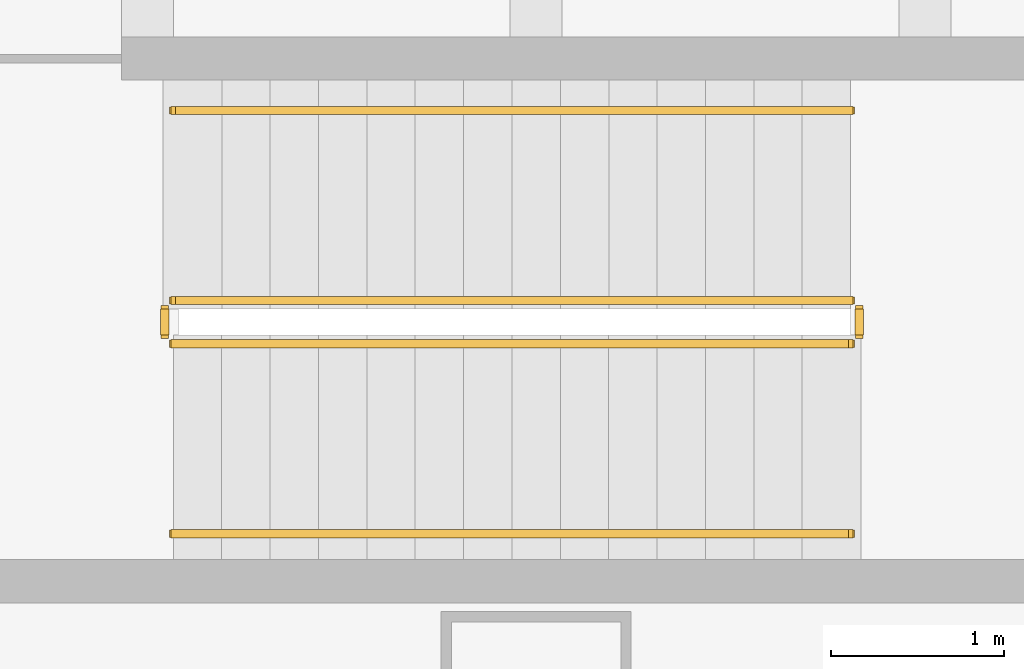
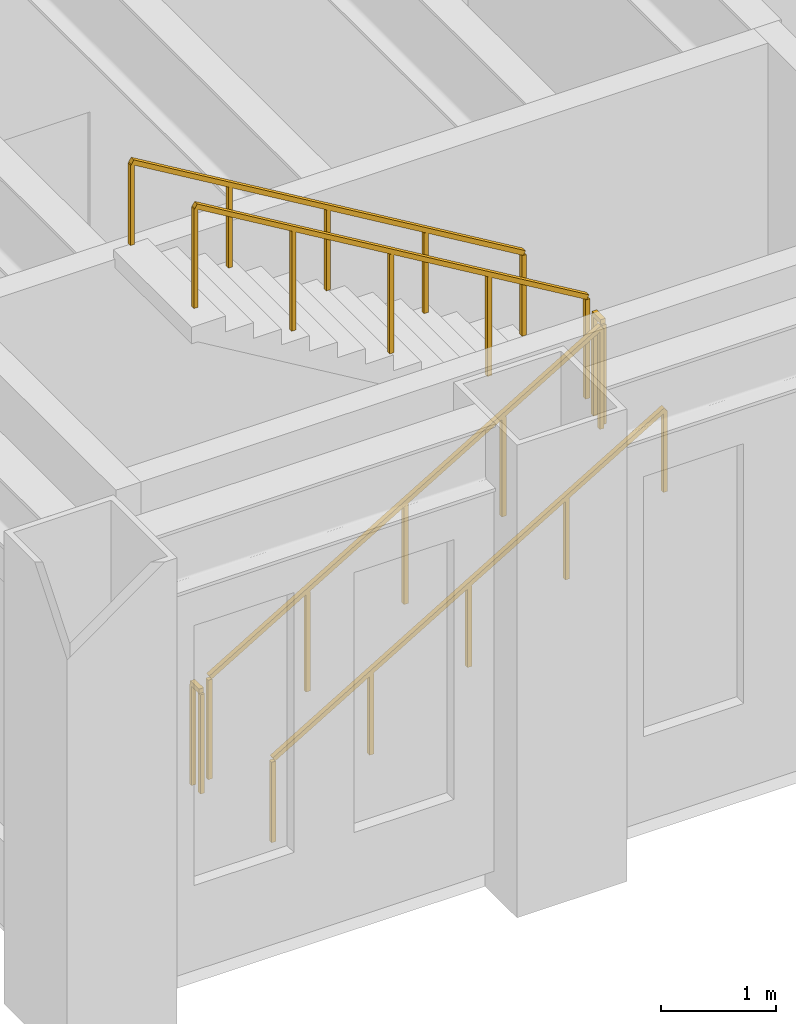
# One storey, part 16 of 19: 6 railings.
"""IFC4 building model written with IfcOpenShell, lengths in metres."""

import ifcopenshell
import ifcopenshell.guid

model = None  # the IFC model being written
_history = None  # IfcOwnerHistory: only IFC2X3 demands one
_inside = {}  # id of a spatial element -> (the spatial element, [elements in it])
_under = {}  # id of a project, library or spatial element -> (it, [spatial elements below it])
_declared = {}  # id of a project -> (the project, [libraries it declares])
_typed = {}  # id of a type object -> (the type object, [elements of that type])
_made_of = {}  # id of a material, layer set ... -> (it, [elements and type objects made of it])


def new_model(schema):
    """Start an empty IFC model of exactly this schema.

    Asked for "IFC4X3", IfcOpenShell would pick the latest addendum, in which some entities
    have other attributes; the version numbers below select the first issue.
    IFC2X3 requires an IfcOwnerHistory on every rooted entity: one is made here for all.
    """
    global model, _history
    if schema == "IFC4X3":
        model = ifcopenshell.file(schema_version=(4, 3, 0, 0))
    else:
        model = ifcopenshell.file(schema=schema)
    _inside.clear()
    _under.clear()
    _declared.clear()
    _typed.clear()
    _made_of.clear()
    _history = None
    if model.schema == "IFC2X3":
        org = make("IfcOrganization", Name="unknown")
        user = make(
            "IfcPersonAndOrganization",
            ThePerson=make("IfcPerson", FamilyName="unknown"),
            TheOrganization=org,
        )
        app = make(
            "IfcApplication",
            ApplicationDeveloper=org,
            Version="unknown",
            ApplicationFullName="unknown",
            ApplicationIdentifier="unknown",
        )
        _history = make(
            "IfcOwnerHistory",
            OwningUser=user,
            OwningApplication=app,
            ChangeAction="ADDED",
            CreationDate=0,
        )
    return model


def make(cls, **values):
    """One entity of the class cls with the attributes given. An attribute that is None is left unset."""
    return model.create_entity(
        cls, **{name: value for name, value in values.items() if value is not None}
    )


def rooted(cls, **values):
    """An entity with a GlobalId (a new one), such as an element, a storey or a relation."""
    return make(cls, GlobalId=ifcopenshell.guid.new(), OwnerHistory=_history, **values)


def si_unit(unit_type, name, prefix=None):
    """IfcSIUnit, for example si_unit("LENGTHUNIT", "METRE", prefix="MILLI")."""
    return make("IfcSIUnit", UnitType=unit_type, Prefix=prefix, Name=name)


def assignment(units):
    """IfcUnitAssignment: the units of a project."""
    return None if units is None else make("IfcUnitAssignment", Units=units)


def point(xyz):
    """IfcCartesianPoint."""
    return None if xyz is None else make("IfcCartesianPoint", Coordinates=xyz)


def direction(xyz):
    """IfcDirection."""
    return None if xyz is None else make("IfcDirection", DirectionRatios=xyz)


def frame(location, z_axis=None, x_axis=None):
    """IfcAxis2Placement3D, a coordinate frame: its origin and axes. An axis left out is left unset."""
    return make(
        "IfcAxis2Placement3D",
        Location=point(location),
        Axis=direction(z_axis),
        RefDirection=direction(x_axis),
    )


def frame_2d(location, x_axis=None):
    """IfcAxis2Placement2D, a coordinate frame in the plane: its origin and x axis."""
    return make(
        "IfcAxis2Placement2D", Location=point(location), RefDirection=direction(x_axis)
    )


def origin():
    """The frame at (0, 0, 0) with its axes left unset."""
    return frame((0.0, 0.0, 0.0))


def origin_2d():
    """The frame at (0, 0) in the plane with its x axis left unset."""
    return frame_2d((0.0, 0.0))


def place(relative_to, where):
    """IfcLocalPlacement: puts the frame where relative to a parent placement (None: the world)."""
    return make(
        "IfcLocalPlacement", PlacementRelTo=relative_to, RelativePlacement=where
    )


def context(
    kind, dimensions, precision=None, world=None, true_north=None, identifier=None
):
    """IfcGeometricRepresentationContext, for example the 3D "Model" context."""
    return make(
        "IfcGeometricRepresentationContext",
        ContextIdentifier=identifier,
        ContextType=kind,
        CoordinateSpaceDimension=dimensions,
        Precision=precision,
        WorldCoordinateSystem=world,
        TrueNorth=true_north,
    )


def subcontext(parent, identifier, kind, view, scale=None):
    """IfcGeometricRepresentationSubContext, for example "Body" below "Model"."""
    return make(
        "IfcGeometricRepresentationSubContext",
        ContextIdentifier=identifier,
        ContextType=kind,
        ParentContext=parent,
        TargetScale=scale,
        TargetView=view,
    )


def project(units=None, contexts=None):
    """IfcProject with its units and contexts."""
    return rooted(
        "IfcProject",
        Name="project",
        RepresentationContexts=contexts,
        UnitsInContext=assignment(units),
    )


def spatial(cls, under=None, at=None, **own):
    """A site, building, storey or space (cls), placed at a placement, below another one or the project."""
    s = rooted(cls, ObjectPlacement=at, **own)
    if under is not None:
        _under.setdefault(under.id(), (under, []))[1].append(s)
    return s


def profile(cls, at=None, kind="AREA", **sizes):
    """A parametric profile (cls). Its sizes go by their IFC names, for example OverallWidth=200.0."""
    return make(cls, ProfileType=kind, Position=at, **sizes)


def rectangle(**sizes):
    """IfcRectangleProfileDef."""
    return profile("IfcRectangleProfileDef", **sizes)


def extrude(swept, where, along, depth):
    """IfcExtrudedAreaSolid: the profile swept, set in the frame where, extruded along a direction by depth."""
    return make(
        "IfcExtrudedAreaSolid",
        SweptArea=swept,
        Position=where,
        ExtrudedDirection=direction(along),
        Depth=depth,
    )


def shape(context_of_items, identifier, shape_type, items):
    """IfcShapeRepresentation: the items that make up one representation, for example the "Body"."""
    return make(
        "IfcShapeRepresentation",
        ContextOfItems=context_of_items,
        RepresentationIdentifier=identifier,
        RepresentationType=shape_type,
        Items=items,
    )


def material(Name=None, Category=None):
    """IfcMaterial."""
    return make("IfcMaterial", Name=Name, Category=Category)


def made_of(thing, what):
    """Note that an element or type object is made of a material, layer set ...; save() writes the relation."""
    if what is not None:
        _made_of.setdefault(what.id(), (what, []))[1].append(thing)
    return thing


def type_object(cls, material=None, **own):
    """A type object (cls), such as IfcWallType, which elements share."""
    return made_of(rooted(cls, **own), material)


def element(
    cls,
    number,
    at=None,
    inside=None,
    cuts=None,
    type_object=None,
    material=None,
    context=None,
    identifier="Body",
    shape_type=None,
    held_by="IfcProductDefinitionShape",
    body=None,
    shapes=None,
    **own,
):
    """One element of the class cls, such as IfcWall. Its Tag is "e" and its number.

    at: its placement. inside: the storey or other place that contains it. cuts: it is an
    opening in that element (IfcRelVoidsElement). A single representation is given by context,
    identifier, shape_type and body (its items); several are given by shapes. held_by: the class
    of the entity that holds the representations. save() writes the other relations.
    """
    e = rooted(cls, Tag="e%d" % number, ObjectPlacement=at, **own)
    if body is not None:
        shapes = [shape(context, identifier, shape_type, body)]
    if shapes is not None:
        e.Representation = make(held_by, Representations=shapes)
    if inside is not None:
        _inside.setdefault(inside.id(), (inside, []))[1].append(e)
    if cuts is not None:
        rooted(
            "IfcRelVoidsElement", RelatingBuildingElement=cuts, RelatedOpeningElement=e
        )
    if type_object is not None:
        _typed.setdefault(type_object.id(), (type_object, []))[1].append(e)
    return made_of(e, material)


def aggregate(whole, parts):
    """IfcRelAggregates: a whole, such as a stair, and the parts it consists of."""
    return rooted("IfcRelAggregates", RelatingObject=whole, RelatedObjects=parts)


def save(model, path):
    """Write the relations noted so far, then the file.

    IfcRelAggregates (storeys below a building ...), IfcRelContainedInSpatialStructure (elements
    in a storey), IfcRelDefinesByType, IfcRelAssociatesMaterial and IfcRelDeclares: one each for
    every whole, place, type object, material and project.
    """
    for whole, parts in _under.values():
        aggregate(whole, parts)
    for where, things in _inside.values():
        rooted(
            "IfcRelContainedInSpatialStructure",
            RelatedElements=things,
            RelatingStructure=where,
        )
    for kind, things in _typed.values():
        rooted("IfcRelDefinesByType", RelatedObjects=things, RelatingType=kind)
    for what, things in _made_of.values():
        rooted("IfcRelAssociatesMaterial", RelatedObjects=things, RelatingMaterial=what)
    for by, libraries in _declared.values():
        rooted("IfcRelDeclares", RelatingContext=by, RelatedDefinitions=libraries)
    model.write(path)


model = new_model("IFC4")

# Units and contexts
model_context = context("Model", 3, precision=1e-05, world=origin(), true_north=direction((0.0, 1.0)))
body_context = subcontext(model_context, "Body", "Model", "MODEL_VIEW")
ifc_project = project(units=[si_unit("LENGTHUNIT", "METRE"), si_unit("AREAUNIT", "SQUARE_METRE"), si_unit("VOLUMEUNIT", "CUBIC_METRE"), si_unit("PLANEANGLEUNIT", "RADIAN"), si_unit("MASSUNIT", "GRAM", prefix="KILO")], contexts=[model_context])

# Site, building, storey
site_placement = place(None, origin())
site = spatial("IfcSite", under=ifc_project, at=site_placement, CompositionType="ELEMENT")
building_placement = place(site_placement, origin())
building = spatial("IfcBuilding", under=site, at=building_placement, Name="Sennacour Bend Tower", CompositionType="ELEMENT")
storey_placement = place(building_placement, frame((0.0, 0.0, 14.0)))
storey = spatial("IfcBuildingStorey", under=building, at=storey_placement, Name="L02", CompositionType="ELEMENT", Elevation=14.0)

# Railings
ifc_material = material(Name="Stainless steel", Category="steel")
railing_type_1 = type_object("IfcRailingType", Name="RL-GUARD-1100", PredefinedType="GUARDRAIL", material=ifc_material)
railing_1_placement = place(storey_placement, frame((2.39990234375, 2.10009765625, 0.166748046875)))
element("IfcRailing", 1, at=railing_1_placement, inside=storey, type_object=railing_type_1, Name="L02 SK1 stair guard 1", PredefinedType="GUARDRAIL", context=body_context, shape_type="SweptSolid", body=[
    extrude(rectangle(XDim=0.048095703125, YDim=0.048095703125, at=origin_2d()), frame((0.0, 0.0, 1.076171875), z_axis=(0.859310244771, 0.0, 0.511454693235), x_axis=(0.0, 1.0, 0.0)), (0.0, 0.0, 1.0), 4.56201171875),
    extrude(rectangle(XDim=0.0419921875, YDim=0.0419921875, at=origin_2d()), origin(), (0.0, 0.0, 1.0), 1.052001953125),
    extrude(rectangle(XDim=0.0419921875, YDim=0.0419921875, at=origin_2d()), frame((0.97998046875, 0.0, 0.583251953125)), (0.0, 0.0, 1.0), 1.052001953125),
    extrude(rectangle(XDim=0.0419921875, YDim=0.0419921875, at=origin_2d()), frame((1.9599609375, 0.0, 1.16650390625)), (0.0, 0.0, 1.0), 1.052001953125),
    extrude(rectangle(XDim=0.0419921875, YDim=0.0419921875, at=origin_2d()), frame((2.940185546875, 0.0, 1.75)), (0.0, 0.0, 1.0), 1.052001953125),
    extrude(rectangle(XDim=0.0419921875, YDim=0.0419921875, at=origin_2d()), frame((3.920166015625, 0.0, 2.333251953125)), (0.0, 0.0, 1.0), 1.052001953125),
])
railing_2_placement = place(storey_placement, frame((6.3701171875, 2.14990234375, 2.5)))
element("IfcRailing", 2, at=railing_2_placement, inside=storey, type_object=railing_type_1, Name="L02 SK1 stair guard 2", PredefinedType="GUARDRAIL", context=body_context, shape_type="SweptSolid", body=[
    extrude(rectangle(XDim=0.048095703125, YDim=0.048095703125, at=origin_2d()), frame((0.0, 0.0, 1.076171875), z_axis=(0.0, 1.0, 0.0), x_axis=(-1.0, 0.0, 0.0)), (0.0, 0.0, 1.0), 0.150146484375),
    extrude(rectangle(XDim=0.0419921875, YDim=0.0419921875, at=origin_2d()), origin(), (0.0, 0.0, 1.0), 1.052001953125),
    extrude(rectangle(XDim=0.0419921875, YDim=0.0419921875, at=origin_2d()), frame((0.0, 0.150146484375, 0.0)), (0.0, 0.0, 1.0), 1.052001953125),
])
railing_3_placement = place(storey_placement, frame((6.320068359375, 2.35009765625, 2.666748046875)))
element("IfcRailing", 3, at=railing_3_placement, inside=storey, type_object=railing_type_1, Name="L02 SK1 stair guard 3", PredefinedType="GUARDRAIL", context=body_context, shape_type="SweptSolid", body=[
    extrude(rectangle(XDim=0.048095703125, YDim=0.048095703125, at=origin_2d()), frame((0.0, 0.0, 1.076171875), z_axis=(-0.859310244771, 0.0, 0.511454693235), x_axis=(0.0, -1.0, 0.0)), (0.0, 0.0, 1.0), 4.56201171875),
    extrude(rectangle(XDim=0.0419921875, YDim=0.0419921875, at=origin_2d()), origin(), (0.0, 0.0, 1.0), 1.052001953125),
    extrude(rectangle(XDim=0.0419921875, YDim=0.0419921875, at=origin_2d()), frame((-0.97998046875, 0.0, 0.583251953125)), (0.0, 0.0, 1.0), 1.052001953125),
    extrude(rectangle(XDim=0.0419921875, YDim=0.0419921875, at=origin_2d()), frame((-1.9599609375, 0.0, 1.16650390625)), (0.0, 0.0, 1.0), 1.052001953125),
    extrude(rectangle(XDim=0.0419921875, YDim=0.0419921875, at=origin_2d()), frame((-2.940185546875, 0.0, 1.75)), (0.0, 0.0, 1.0), 1.052001953125),
    extrude(rectangle(XDim=0.0419921875, YDim=0.0419921875, at=origin_2d()), frame((-3.920166015625, 0.0, 2.333251953125)), (0.0, 0.0, 1.0), 1.052001953125),
])
railing_4_placement = place(storey_placement, frame((2.35009765625, 2.14990234375, 0.0)))
element("IfcRailing", 4, at=railing_4_placement, inside=storey, type_object=railing_type_1, Name="L02 SK1 stair guard 4", PredefinedType="GUARDRAIL", context=body_context, shape_type="SweptSolid", body=[
    extrude(rectangle(XDim=0.048095703125, YDim=0.048095703125, at=origin_2d()), frame((0.0, 0.0, 1.076171875), z_axis=(0.0, 1.0, 0.0), x_axis=(-1.0, 0.0, 0.0)), (0.0, 0.0, 1.0), 0.150146484375),
    extrude(rectangle(XDim=0.0419921875, YDim=0.0419921875, at=origin_2d()), origin(), (0.0, 0.0, 1.0), 1.052001953125),
    extrude(rectangle(XDim=0.0419921875, YDim=0.0419921875, at=origin_2d()), frame((0.0, 0.150146484375, 0.0)), (0.0, 0.0, 1.0), 1.052001953125),
])
railing_type_2 = type_object("IfcRailingType", Name="RL-HANDRAIL-900", PredefinedType="HANDRAIL", material=ifc_material)
railing_5_placement = place(storey_placement, frame((2.39990234375, 1.0, 0.166748046875)))
element("IfcRailing", 5, at=railing_5_placement, inside=storey, type_object=railing_type_2, Name="L02 SK1 stair handrail 1", PredefinedType="HANDRAIL", context=body_context, shape_type="SweptSolid", body=[
    extrude(rectangle(XDim=0.048095703125, YDim=0.048095703125, at=origin_2d()), frame((0.0, 0.0, 0.8759765625), z_axis=(0.859310244771, 0.0, 0.511454693235), x_axis=(0.0, 1.0, 0.0)), (0.0, 0.0, 1.0), 4.56201171875),
    extrude(rectangle(XDim=0.0419921875, YDim=0.0419921875, at=origin_2d()), origin(), (0.0, 0.0, 1.0), 0.851806640625),
    extrude(rectangle(XDim=0.0419921875, YDim=0.0419921875, at=origin_2d()), frame((0.97998046875, 0.0, 0.583251953125)), (0.0, 0.0, 1.0), 0.851806640625),
    extrude(rectangle(XDim=0.0419921875, YDim=0.0419921875, at=origin_2d()), frame((1.9599609375, 0.0, 1.16650390625)), (0.0, 0.0, 1.0), 0.851806640625),
    extrude(rectangle(XDim=0.0419921875, YDim=0.0419921875, at=origin_2d()), frame((2.940185546875, 0.0, 1.75)), (0.0, 0.0, 1.0), 0.851806640625),
    extrude(rectangle(XDim=0.0419921875, YDim=0.0419921875, at=origin_2d()), frame((3.920166015625, 0.0, 2.333251953125)), (0.0, 0.0, 1.0), 0.851806640625),
])
railing_6_placement = place(storey_placement, frame((6.320068359375, 3.449951171875, 2.666748046875)))
element("IfcRailing", 6, at=railing_6_placement, inside=storey, type_object=railing_type_2, Name="L02 SK1 stair handrail 2", PredefinedType="HANDRAIL", context=body_context, shape_type="SweptSolid", body=[
    extrude(rectangle(XDim=0.048095703125, YDim=0.048095703125, at=origin_2d()), frame((0.0, 0.0, 0.8759765625), z_axis=(-0.859310244771, 0.0, 0.511454693235), x_axis=(0.0, -1.0, 0.0)), (0.0, 0.0, 1.0), 4.56201171875),
    extrude(rectangle(XDim=0.0419921875, YDim=0.0419921875, at=origin_2d()), origin(), (0.0, 0.0, 1.0), 0.851806640625),
    extrude(rectangle(XDim=0.0419921875, YDim=0.0419921875, at=origin_2d()), frame((-0.97998046875, 0.0, 0.583251953125)), (0.0, 0.0, 1.0), 0.851806640625),
    extrude(rectangle(XDim=0.0419921875, YDim=0.0419921875, at=origin_2d()), frame((-1.9599609375, 0.0, 1.16650390625)), (0.0, 0.0, 1.0), 0.851806640625),
    extrude(rectangle(XDim=0.0419921875, YDim=0.0419921875, at=origin_2d()), frame((-2.940185546875, 0.0, 1.75)), (0.0, 0.0, 1.0), 0.851806640625),
    extrude(rectangle(XDim=0.0419921875, YDim=0.0419921875, at=origin_2d()), frame((-3.920166015625, 0.0, 2.333251953125)), (0.0, 0.0, 1.0), 0.851806640625),
])

save(model, "model.ifc")
